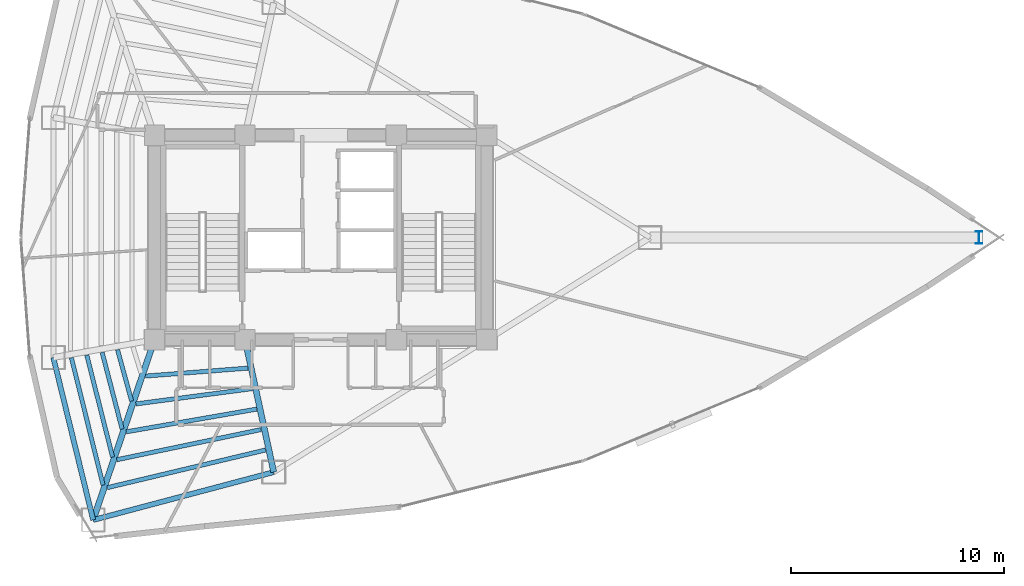
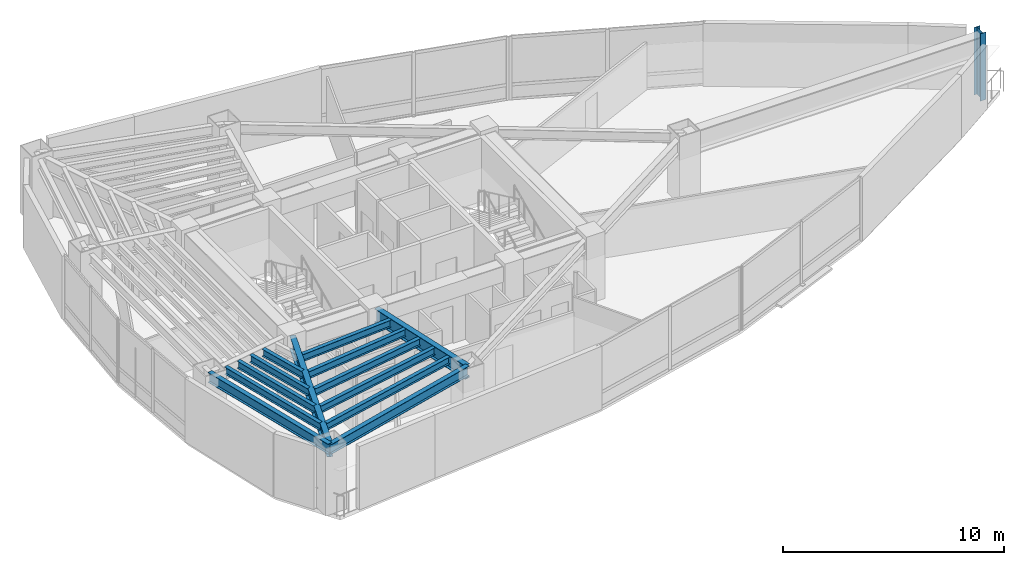
# One storey, part 2 of 18: 13 beams, 1 column.
"""IFC4 building model written with IfcOpenShell, lengths in metres."""

import ifcopenshell
import ifcopenshell.guid

model = None  # the IFC model being written
_history = None  # IfcOwnerHistory: only IFC2X3 demands one
_inside = {}  # id of a spatial element -> (the spatial element, [elements in it])
_under = {}  # id of a project, library or spatial element -> (it, [spatial elements below it])
_declared = {}  # id of a project -> (the project, [libraries it declares])
_typed = {}  # id of a type object -> (the type object, [elements of that type])
_made_of = {}  # id of a material, layer set ... -> (it, [elements and type objects made of it])


def new_model(schema):
    """Start an empty IFC model of exactly this schema.

    Asked for "IFC4X3", IfcOpenShell would pick the latest addendum, in which some entities
    have other attributes; the version numbers below select the first issue.
    IFC2X3 requires an IfcOwnerHistory on every rooted entity: one is made here for all.
    """
    global model, _history
    if schema == "IFC4X3":
        model = ifcopenshell.file(schema_version=(4, 3, 0, 0))
    else:
        model = ifcopenshell.file(schema=schema)
    _inside.clear()
    _under.clear()
    _declared.clear()
    _typed.clear()
    _made_of.clear()
    _history = None
    if model.schema == "IFC2X3":
        org = make("IfcOrganization", Name="unknown")
        user = make(
            "IfcPersonAndOrganization",
            ThePerson=make("IfcPerson", FamilyName="unknown"),
            TheOrganization=org,
        )
        app = make(
            "IfcApplication",
            ApplicationDeveloper=org,
            Version="unknown",
            ApplicationFullName="unknown",
            ApplicationIdentifier="unknown",
        )
        _history = make(
            "IfcOwnerHistory",
            OwningUser=user,
            OwningApplication=app,
            ChangeAction="ADDED",
            CreationDate=0,
        )
    return model


def make(cls, **values):
    """One entity of the class cls with the attributes given. An attribute that is None is left unset."""
    return model.create_entity(
        cls, **{name: value for name, value in values.items() if value is not None}
    )


def rooted(cls, **values):
    """An entity with a GlobalId (a new one), such as an element, a storey or a relation."""
    return make(cls, GlobalId=ifcopenshell.guid.new(), OwnerHistory=_history, **values)


def si_unit(unit_type, name, prefix=None):
    """IfcSIUnit, for example si_unit("LENGTHUNIT", "METRE", prefix="MILLI")."""
    return make("IfcSIUnit", UnitType=unit_type, Prefix=prefix, Name=name)


def assignment(units):
    """IfcUnitAssignment: the units of a project."""
    return None if units is None else make("IfcUnitAssignment", Units=units)


def point(xyz):
    """IfcCartesianPoint."""
    return None if xyz is None else make("IfcCartesianPoint", Coordinates=xyz)


def direction(xyz):
    """IfcDirection."""
    return None if xyz is None else make("IfcDirection", DirectionRatios=xyz)


def frame(location, z_axis=None, x_axis=None):
    """IfcAxis2Placement3D, a coordinate frame: its origin and axes. An axis left out is left unset."""
    return make(
        "IfcAxis2Placement3D",
        Location=point(location),
        Axis=direction(z_axis),
        RefDirection=direction(x_axis),
    )


def frame_2d(location, x_axis=None):
    """IfcAxis2Placement2D, a coordinate frame in the plane: its origin and x axis."""
    return make(
        "IfcAxis2Placement2D", Location=point(location), RefDirection=direction(x_axis)
    )


def origin():
    """The frame at (0, 0, 0) with its axes left unset."""
    return frame((0.0, 0.0, 0.0))


def origin_2d():
    """The frame at (0, 0) in the plane with its x axis left unset."""
    return frame_2d((0.0, 0.0))


def place(relative_to, where):
    """IfcLocalPlacement: puts the frame where relative to a parent placement (None: the world)."""
    return make(
        "IfcLocalPlacement", PlacementRelTo=relative_to, RelativePlacement=where
    )


def context(
    kind, dimensions, precision=None, world=None, true_north=None, identifier=None
):
    """IfcGeometricRepresentationContext, for example the 3D "Model" context."""
    return make(
        "IfcGeometricRepresentationContext",
        ContextIdentifier=identifier,
        ContextType=kind,
        CoordinateSpaceDimension=dimensions,
        Precision=precision,
        WorldCoordinateSystem=world,
        TrueNorth=true_north,
    )


def subcontext(parent, identifier, kind, view, scale=None):
    """IfcGeometricRepresentationSubContext, for example "Body" below "Model"."""
    return make(
        "IfcGeometricRepresentationSubContext",
        ContextIdentifier=identifier,
        ContextType=kind,
        ParentContext=parent,
        TargetScale=scale,
        TargetView=view,
    )


def project(units=None, contexts=None):
    """IfcProject with its units and contexts."""
    return rooted(
        "IfcProject",
        Name="project",
        RepresentationContexts=contexts,
        UnitsInContext=assignment(units),
    )


def spatial(cls, under=None, at=None, **own):
    """A site, building, storey or space (cls), placed at a placement, below another one or the project."""
    s = rooted(cls, ObjectPlacement=at, **own)
    if under is not None:
        _under.setdefault(under.id(), (under, []))[1].append(s)
    return s


def profile(cls, at=None, kind="AREA", **sizes):
    """A parametric profile (cls). Its sizes go by their IFC names, for example OverallWidth=200.0."""
    return make(cls, ProfileType=kind, Position=at, **sizes)


def i_section(**sizes):
    """IfcIShapeProfileDef."""
    return profile("IfcIShapeProfileDef", **sizes)


def extrude(swept, where, along, depth):
    """IfcExtrudedAreaSolid: the profile swept, set in the frame where, extruded along a direction by depth."""
    return make(
        "IfcExtrudedAreaSolid",
        SweptArea=swept,
        Position=where,
        ExtrudedDirection=direction(along),
        Depth=depth,
    )


def shape(context_of_items, identifier, shape_type, items):
    """IfcShapeRepresentation: the items that make up one representation, for example the "Body"."""
    return make(
        "IfcShapeRepresentation",
        ContextOfItems=context_of_items,
        RepresentationIdentifier=identifier,
        RepresentationType=shape_type,
        Items=items,
    )


def material(Name=None, Category=None):
    """IfcMaterial."""
    return make("IfcMaterial", Name=Name, Category=Category)


def material_profile(
    of_material, cross_section, Name=None, Category=None, Priority=None
):
    """IfcMaterialProfile: a cross section and its material."""
    return make(
        "IfcMaterialProfile",
        Name=Name,
        Material=of_material,
        Profile=cross_section,
        Priority=Priority,
        Category=Category,
    )


def profile_set(profiles, Name=None, composite=None):
    """IfcMaterialProfileSet."""
    return make(
        "IfcMaterialProfileSet",
        Name=Name,
        MaterialProfiles=profiles,
        CompositeProfile=composite,
    )


def made_of(thing, what):
    """Note that an element or type object is made of a material, layer set ...; save() writes the relation."""
    if what is not None:
        _made_of.setdefault(what.id(), (what, []))[1].append(thing)
    return thing


def type_object(cls, material=None, **own):
    """A type object (cls), such as IfcWallType, which elements share."""
    return made_of(rooted(cls, **own), material)


def element(
    cls,
    number,
    at=None,
    inside=None,
    cuts=None,
    type_object=None,
    material=None,
    context=None,
    identifier="Body",
    shape_type=None,
    held_by="IfcProductDefinitionShape",
    body=None,
    shapes=None,
    **own,
):
    """One element of the class cls, such as IfcWall. Its Tag is "e" and its number.

    at: its placement. inside: the storey or other place that contains it. cuts: it is an
    opening in that element (IfcRelVoidsElement). A single representation is given by context,
    identifier, shape_type and body (its items); several are given by shapes. held_by: the class
    of the entity that holds the representations. save() writes the other relations.
    """
    e = rooted(cls, Tag="e%d" % number, ObjectPlacement=at, **own)
    if body is not None:
        shapes = [shape(context, identifier, shape_type, body)]
    if shapes is not None:
        e.Representation = make(held_by, Representations=shapes)
    if inside is not None:
        _inside.setdefault(inside.id(), (inside, []))[1].append(e)
    if cuts is not None:
        rooted(
            "IfcRelVoidsElement", RelatingBuildingElement=cuts, RelatedOpeningElement=e
        )
    if type_object is not None:
        _typed.setdefault(type_object.id(), (type_object, []))[1].append(e)
    return made_of(e, material)


def aggregate(whole, parts):
    """IfcRelAggregates: a whole, such as a stair, and the parts it consists of."""
    return rooted("IfcRelAggregates", RelatingObject=whole, RelatedObjects=parts)


def save(model, path):
    """Write the relations noted so far, then the file.

    IfcRelAggregates (storeys below a building ...), IfcRelContainedInSpatialStructure (elements
    in a storey), IfcRelDefinesByType, IfcRelAssociatesMaterial and IfcRelDeclares: one each for
    every whole, place, type object, material and project.
    """
    for whole, parts in _under.values():
        aggregate(whole, parts)
    for where, things in _inside.values():
        rooted(
            "IfcRelContainedInSpatialStructure",
            RelatedElements=things,
            RelatingStructure=where,
        )
    for kind, things in _typed.values():
        rooted("IfcRelDefinesByType", RelatedObjects=things, RelatingType=kind)
    for what, things in _made_of.values():
        rooted("IfcRelAssociatesMaterial", RelatedObjects=things, RelatingMaterial=what)
    for by, libraries in _declared.values():
        rooted("IfcRelDeclares", RelatingContext=by, RelatedDefinitions=libraries)
    model.write(path)


model = new_model("IFC4")

# Units and contexts
model_context = context("Model", 3, precision=1e-05, world=origin(), true_north=direction((0.0, 1.0)))
body_context = subcontext(model_context, "Body", "Model", "MODEL_VIEW")
ifc_project = project(units=[si_unit("LENGTHUNIT", "METRE"), si_unit("AREAUNIT", "SQUARE_METRE"), si_unit("VOLUMEUNIT", "CUBIC_METRE"), si_unit("PLANEANGLEUNIT", "RADIAN"), si_unit("MASSUNIT", "GRAM", prefix="KILO")], contexts=[model_context])

# Site, building, storey
site_placement = place(None, origin())
site = spatial("IfcSite", under=ifc_project, at=site_placement, CompositionType="ELEMENT")
building_placement = place(site_placement, origin())
building = spatial("IfcBuilding", under=site, at=building_placement, Name="Menara Vayukalpa", CompositionType="ELEMENT")
storey_placement = place(building_placement, frame((0.0, 0.0, 161.760009765625)))
storey = spatial("IfcBuildingStorey", under=building, at=storey_placement, Name="L40", CompositionType="ELEMENT", Elevation=161.760009765625)

# Column
ifc_material_1 = material(Name="Steel S460", Category="steel")
ifc_material_profile_1 = material_profile(ifc_material_1, i_section(OverallWidth=0.300048828125, OverallDepth=0.587890625, WebThickness=0.011962890625, FlangeThickness=0.02001953125, at=origin_2d()), Name="H 588x300x12x20")
ifc_profile_set_1 = profile_set([ifc_material_profile_1], Name="Steel S460")
column_type = type_object("IfcColumnType", Name="COL-SC1", PredefinedType="COLUMN", material=ifc_profile_set_1)
column_placement = place(storey_placement, frame((56.501953125, 22.0, 0.0), z_axis=(0.0, 0.0, 1.0), x_axis=(1.0, 0.0, 0.0)))
element("IfcColumn", 1, at=column_placement, inside=storey, type_object=column_type, Name="L40 SB3 Sky Bar Vierendeel Column SB01", PredefinedType="COLUMN", context=body_context, shape_type="SweptSolid", body=[
    extrude(i_section(OverallWidth=0.300048828125, OverallDepth=0.587890625, WebThickness=0.011962890625, FlangeThickness=0.02001953125, at=origin_2d()), origin(), (0.0, 0.0, 1.0), 3.719970703125),
])

# Beams
ifc_material_2 = material(Name="Steel S355", Category="steel")
ifc_material_profile_2 = material_profile(ifc_material_2, i_section(OverallWidth=0.280029296875, OverallDepth=0.75, WebThickness=0.013916015625, FlangeThickness=0.02490234375, at=origin_2d()), Name="WF 750x280x14x25")
ifc_profile_set_2 = profile_set([ifc_material_profile_2], Name="Steel S355")
beam_type_1 = type_object("IfcBeamType", Name="BM-PG4", PredefinedType="BEAM", material=ifc_profile_set_2)
beam_1_placement = place(storey_placement, frame((17.719482421875, 16.96337890625, 3.125), z_axis=(-0.322207533072, -0.946669058136, 0.0), x_axis=(0.946669058136, -0.322207533072, 0.0)))
element("IfcBeam", 2, at=beam_1_placement, inside=storey, type_object=beam_type_1, Name="L40 Primary Radial Girder RG07", PredefinedType="BEAM", context=body_context, shape_type="SweptSolid", body=[
    extrude(i_section(OverallWidth=0.280029296875, OverallDepth=0.75, WebThickness=0.013916015625, FlangeThickness=0.02490234375, at=origin_2d()), origin(), (0.0, 0.0, 1.0), 8.687255859375),
])
beam_2_placement = place(storey_placement, frame((22.10302734375, 16.955810546875, 3.125), z_axis=(0.211898459532, -0.9772916877, 0.0), x_axis=(0.9772916877, 0.211898459532, 0.0)))
element("IfcBeam", 3, at=beam_2_placement, inside=storey, type_object=beam_type_1, Name="L40 Primary Radial Girder RG08", PredefinedType="BEAM", context=body_context, shape_type="SweptSolid", body=[
    extrude(i_section(OverallWidth=0.280029296875, OverallDepth=0.75, WebThickness=0.013916015625, FlangeThickness=0.02490234375, at=origin_2d()), origin(), (0.0, 0.0, 1.0), 6.1064453125),
])
ifc_material_3 = material(Name="Steel S355", Category="steel")
ifc_material_profile_3 = material_profile(ifc_material_3, i_section(OverallWidth=0.199951171875, OverallDepth=0.39990234375, WebThickness=0.008056640625, FlangeThickness=0.012939453125, at=origin_2d()), Name="WF 400x200x8x13")
ifc_profile_set_3 = profile_set([ifc_material_profile_3], Name="Steel S355")
beam_type_2 = type_object("IfcBeamType", Name="BM-SJ2", PredefinedType="JOIST", material=ifc_profile_set_3)
beam_3_placement = place(storey_placement, frame((16.064453125, 16.734375, 3.300048828125), z_axis=(0.264264990211, -0.96445011014, 0.0), x_axis=(0.96445011014, 0.264264990211, 0.0)))
element("IfcBeam", 4, at=beam_3_placement, inside=storey, type_object=beam_type_2, Name="L40 Secondary Floor Joist SJ06-2", PredefinedType="JOIST", context=body_context, shape_type="SweptSolid", body=[
    extrude(i_section(OverallWidth=0.199951171875, OverallDepth=0.39990234375, WebThickness=0.008056640625, FlangeThickness=0.012939453125, at=origin_2d()), origin(), (0.0, 0.0, 1.0), 2.501708984375),
])
beam_4_placement = place(storey_placement, frame((15.341796875, 16.607666015625, 3.300048828125), z_axis=(0.25203199701, -0.967718901584, 0.0), x_axis=(0.967718901584, 0.25203199701, 0.0)))
element("IfcBeam", 5, at=beam_4_placement, inside=storey, type_object=beam_type_2, Name="L40 Secondary Floor Joist SJ06-3", PredefinedType="JOIST", context=body_context, shape_type="SweptSolid", body=[
    extrude(i_section(OverallWidth=0.199951171875, OverallDepth=0.39990234375, WebThickness=0.008056640625, FlangeThickness=0.012939453125, at=origin_2d()), origin(), (0.0, 0.0, 1.0), 3.7216796875),
])
beam_5_placement = place(storey_placement, frame((14.619873046875, 16.481201171875, 3.300048828125), z_axis=(0.245487100754, -0.969399857315, 0.0), x_axis=(0.969399857315, 0.245487100754, 0.0)))
element("IfcBeam", 6, at=beam_5_placement, inside=storey, type_object=beam_type_2, Name="L40 Secondary Floor Joist SJ06-4", PredefinedType="JOIST", context=body_context, shape_type="SweptSolid", body=[
    extrude(i_section(OverallWidth=0.199951171875, OverallDepth=0.39990234375, WebThickness=0.008056640625, FlangeThickness=0.012939453125, at=origin_2d()), origin(), (0.0, 0.0, 1.0), 4.941650390625),
])
beam_6_placement = place(storey_placement, frame((13.8984375, 16.35498046875, 3.300048828125), z_axis=(0.241360851184, -0.970435438098, 0.0), x_axis=(0.970435438098, 0.241360851184, 0.0)))
element("IfcBeam", 7, at=beam_6_placement, inside=storey, type_object=beam_type_2, Name="L40 Secondary Floor Joist SJ06-5", PredefinedType="JOIST", context=body_context, shape_type="SweptSolid", body=[
    extrude(i_section(OverallWidth=0.199951171875, OverallDepth=0.39990234375, WebThickness=0.008056640625, FlangeThickness=0.012939453125, at=origin_2d()), origin(), (0.0, 0.0, 1.0), 6.162109375),
])
beam_7_placement = place(storey_placement, frame((17.375244140625, 15.495361328125, 3.300048828125), z_axis=(0.996983386276, 0.077615252944, 0.0), x_axis=(-0.077615252944, 0.996983386276, 0.0)))
element("IfcBeam", 8, at=beam_7_placement, inside=storey, type_object=beam_type_2, Name="L40 Secondary Floor Joist SJ07-1", PredefinedType="JOIST", context=body_context, shape_type="SweptSolid", body=[
    extrude(i_section(OverallWidth=0.199951171875, OverallDepth=0.39990234375, WebThickness=0.008056640625, FlangeThickness=0.012939453125, at=origin_2d()), origin(), (0.0, 0.0, 1.0), 4.81591796875),
])
beam_8_placement = place(storey_placement, frame((16.926513671875, 14.18798828125, 3.300048828125), z_axis=(0.991462596105, 0.130391412773, 0.0), x_axis=(-0.130391412773, 0.991462596105, 0.0)))
element("IfcBeam", 9, at=beam_8_placement, inside=storey, type_object=beam_type_2, Name="L40 Secondary Floor Joist SJ07-2", PredefinedType="JOIST", context=body_context, shape_type="SweptSolid", body=[
    extrude(i_section(OverallWidth=0.199951171875, OverallDepth=0.39990234375, WebThickness=0.008056640625, FlangeThickness=0.012939453125, at=origin_2d()), origin(), (0.0, 0.0, 1.0), 5.504638671875),
])
beam_9_placement = place(storey_placement, frame((16.4775390625, 12.87890625, 3.300048828125), z_axis=(0.985157431798, 0.171653239334, 0.0), x_axis=(-0.171653239334, 0.985157431798, 0.0)))
element("IfcBeam", 10, at=beam_9_placement, inside=storey, type_object=beam_type_2, Name="L40 Secondary Floor Joist SJ07-3", PredefinedType="JOIST", context=body_context, shape_type="SweptSolid", body=[
    extrude(i_section(OverallWidth=0.199951171875, OverallDepth=0.39990234375, WebThickness=0.008056640625, FlangeThickness=0.012939453125, at=origin_2d()), origin(), (0.0, 0.0, 1.0), 6.206787109375),
])
beam_10_placement = place(storey_placement, frame((16.02880859375, 11.568359375, 3.300048828125), z_axis=(0.97882747282, 0.204687025611, 0.0), x_axis=(-0.204687025611, 0.97882747282, 0.0)))
element("IfcBeam", 11, at=beam_10_placement, inside=storey, type_object=beam_type_2, Name="L40 Secondary Floor Joist SJ07-4", PredefinedType="JOIST", context=body_context, shape_type="SweptSolid", body=[
    extrude(i_section(OverallWidth=0.199951171875, OverallDepth=0.39990234375, WebThickness=0.008056640625, FlangeThickness=0.012939453125, at=origin_2d()), origin(), (0.0, 0.0, 1.0), 6.91796875),
])
beam_11_placement = place(storey_placement, frame((15.580078125, 10.2568359375, 3.300048828125), z_axis=(0.972815476519, 0.231581624151, 0.0), x_axis=(-0.231581624151, 0.972815476519, 0.0)))
element("IfcBeam", 12, at=beam_11_placement, inside=storey, type_object=beam_type_2, Name="L40 Secondary Floor Joist SJ07-5", PredefinedType="JOIST", context=body_context, shape_type="SweptSolid", body=[
    extrude(i_section(OverallWidth=0.199951171875, OverallDepth=0.39990234375, WebThickness=0.008056640625, FlangeThickness=0.012939453125, at=origin_2d()), origin(), (0.0, 0.0, 1.0), 7.6357421875),
])
ifc_material_4 = material(Name="Steel S355", Category="steel")
ifc_material_profile_4 = material_profile(ifc_material_4, i_section(OverallWidth=0.239990234375, OverallDepth=0.550048828125, WebThickness=0.010986328125, FlangeThickness=0.01904296875, at=origin_2d()), Name="WF 550x240x11x19")
ifc_profile_set_4 = profile_set([ifc_material_profile_4], Name="Steel S355")
beam_type_3 = type_object("IfcBeamType", Name="BM-SP2", PredefinedType="SPANDREL", material=ifc_profile_set_4)
beam_12_placement = place(storey_placement, frame((13.049072265625, 16.3681640625, 3.22509765625), z_axis=(0.238240335346, -0.971206230733, 0.0), x_axis=(0.971206230733, 0.238240335346, 0.0)))
element("IfcBeam", 13, at=beam_12_placement, inside=storey, type_object=beam_type_3, Name="L40 Perimeter Spandrel Beam SP06", PredefinedType="SPANDREL", context=body_context, shape_type="SweptSolid", body=[
    extrude(i_section(OverallWidth=0.239990234375, OverallDepth=0.550048828125, WebThickness=0.010986328125, FlangeThickness=0.01904296875, at=origin_2d()), origin(), (0.0, 0.0, 1.0), 7.854736328125),
])
beam_13_placement = place(storey_placement, frame((14.92041015625, 8.739501953125, 3.22509765625), z_axis=(0.96657141455, 0.256397544009, 0.0), x_axis=(-0.256397544009, 0.96657141455, 0.0)))
element("IfcBeam", 14, at=beam_13_placement, inside=storey, type_object=beam_type_3, Name="L40 Perimeter Spandrel Beam SP07", PredefinedType="SPANDREL", context=body_context, shape_type="SweptSolid", body=[
    extrude(i_section(OverallWidth=0.239990234375, OverallDepth=0.550048828125, WebThickness=0.010986328125, FlangeThickness=0.01904296875, at=origin_2d()), origin(), (0.0, 0.0, 1.0), 8.769775390625),
])

save(model, "model.ifc")
